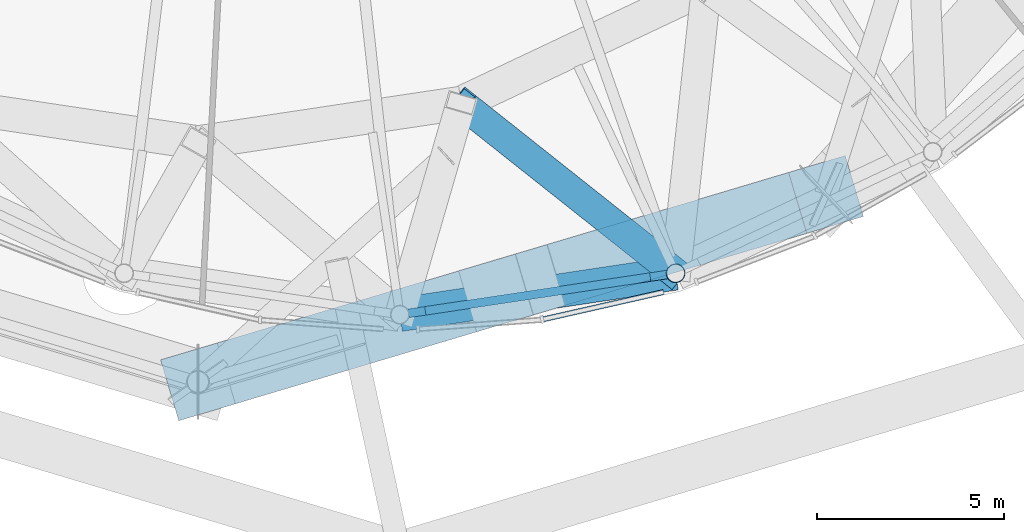
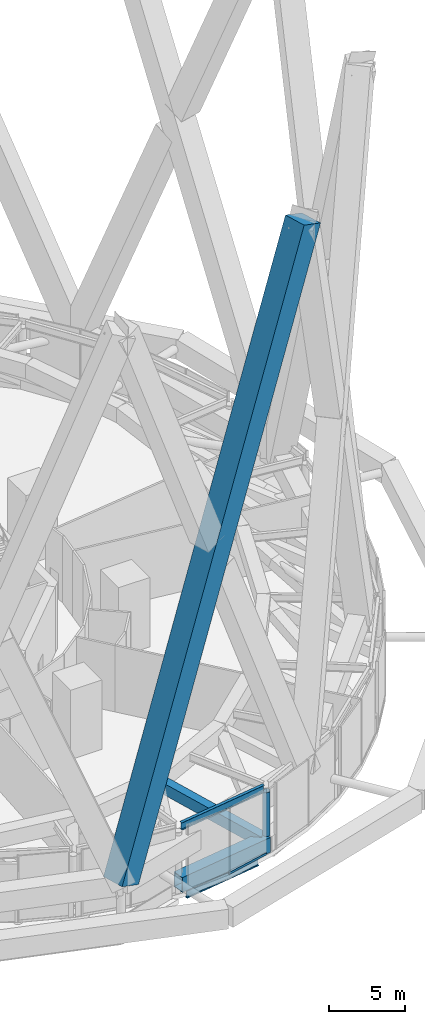
# One storey, part 10 of 51: 4 beams, 3 members, 1 element without a shape of its own.
"""IFC4 building model written with IfcOpenShell, lengths in metres."""

from ifc_helpers import new_model, si_unit, direction, frame, origin, origin_2d, place, context, subcontext, project, spatial, rectangle, hollow_rectangle, hollow_circle, i_section, extrude, material, layer, layer_set, material_profile, profile_set, type_object, element, aggregate, save


model = new_model("IFC4")

# Units and contexts
model_context = context("Model", 3, precision=1e-05, world=origin(), true_north=direction((0.0, 1.0)))
body_context = subcontext(model_context, "Body", "Model", "MODEL_VIEW")
ifc_project = project(units=[si_unit("LENGTHUNIT", "METRE"), si_unit("AREAUNIT", "SQUARE_METRE"), si_unit("VOLUMEUNIT", "CUBIC_METRE"), si_unit("PLANEANGLEUNIT", "RADIAN"), si_unit("MASSUNIT", "GRAM", prefix="KILO")], contexts=[model_context])

# Site, building, storey
site_placement = place(None, origin())
site = spatial("IfcSite", under=ifc_project, at=site_placement, CompositionType="ELEMENT")
building_placement = place(site_placement, origin())
building = spatial("IfcBuilding", under=site, at=building_placement, Name="Nagisa Residences", CompositionType="ELEMENT")
storey_placement = place(building_placement, frame((0.0, 0.0, 67.699951171875)))
storey = spatial("IfcBuildingStorey", under=building, at=storey_placement, Name="L16", CompositionType="ELEMENT", Elevation=67.699951171875)

# Beams
ifc_material_1 = material(Name="Steel ASTM A572 Gr 50", Category="steel")
ifc_material_profile_1 = material_profile(ifc_material_1, hollow_rectangle(XDim=0.89990234375, YDim=1.199951171875, WallThickness=0.050048828125, at=origin_2d()), Name="BX 900x1200x50")
ifc_profile_set_1 = profile_set([ifc_material_profile_1], Name="Steel ASTM A572 Gr 50")
beam_type_1 = type_object("IfcBeamType", Name="Belt chord 1 BX 900x1200x50", PredefinedType="BEAM", material=ifc_profile_set_1)
beam_1_placement = place(storey_placement, frame((3.60009765625, -32.5, 0.60009765625), z_axis=(0.988916897536, 0.148470097217, 0.0), x_axis=(-0.148470097217, 0.988916897536, 0.0)))
element("IfcBeam", 1, at=beam_1_placement, inside=storey, type_object=beam_type_1, Name="beam:L16:bt1b19", PredefinedType="BEAM", context=body_context, shape_type="SweptSolid", body=[
    extrude(hollow_rectangle(XDim=0.89990234375, YDim=1.199951171875, WallThickness=0.050048828125, at=origin_2d()), origin(), (0.0, 0.0, 1.0), 7.458984375),
])
ifc_material_2 = material(Name="Steel ASTM A572 Gr 50", Category="steel")
ifc_material_profile_2 = material_profile(ifc_material_2, hollow_rectangle(XDim=0.800048828125, YDim=0.800048828125, WallThickness=0.044921875, at=origin_2d()), Name="BX 800x800x45")
ifc_profile_set_2 = profile_set([ifc_material_profile_2], Name="Steel ASTM A572 Gr 50")
beam_type_2 = type_object("IfcBeamType", Name="Belt diagonal 1 BX 800x800x45", PredefinedType="BEAM", material=ifc_profile_set_2)
beam_2_placement = place(storey_placement, frame((10.976318359375, -31.392578125, 0.60009765625), z_axis=(-0.682000005103, 0.541055658886, 0.492071912455), x_axis=(-0.621506895657, -0.783408691968, 0.0)))
element("IfcBeam", 2, at=beam_2_placement, inside=storey, type_object=beam_type_2, Name="beam:L16:bt1da20", PredefinedType="BEAM", context=body_context, shape_type="SweptSolid", body=[
    extrude(hollow_rectangle(XDim=0.800048828125, YDim=0.800048828125, WallThickness=0.044921875, at=origin_2d()), origin(), (0.0, 0.0, 1.0), 8.4130859375),
])

# Curtain wall, member
ifc_material_3 = material(Name="Aluminium curtain wall system", Category="aluminium")
ifc_layer = layer(ifc_material_3, 0.159912109375)
ifc_layer_set = layer_set([ifc_layer], Name="CW2 CURTAIN WALL")
curtain_wall_type = type_object("IfcCurtainWallType", Name="CW2 CURTAIN WALL", PredefinedType="NOTDEFINED", material=ifc_layer_set)
curtain_wall_placement = place(storey_placement, origin())
curtain_wall = element("IfcCurtainWall", 3, at=curtain_wall_placement, inside=storey, type_object=curtain_wall_type, Name="cw:CW2:L16:37", PredefinedType="NOTDEFINED")
ifc_material_4 = material(Name="Aluminium", Category="aluminium")
ifc_material_profile_3 = material_profile(ifc_material_4, rectangle(XDim=0.139892578125, YDim=0.179931640625, at=origin_2d()), Name="CW2 TRANSOM 140x180")
ifc_profile_set_3 = profile_set([ifc_material_profile_3], Name="Aluminium")
member_type_1 = type_object("IfcMemberType", Name="CW2 TRANSOM 140x180", PredefinedType="USERDEFINED", material=ifc_profile_set_3)
member_1_placement = place(storey_placement, frame((7.36767578125, -32.6396484375, 0.090087890625), z_axis=(0.975332756984, 0.220739695465, 0.0), x_axis=(-0.220739695465, 0.975332756984, 0.0)))
member_1 = element("IfcMember", 4, at=member_1_placement, type_object=member_type_1, Name="CW2 transom", ObjectType="TRANSOM", PredefinedType="USERDEFINED", context=body_context, shape_type="SweptSolid", body=[
    extrude(rectangle(XDim=0.139892578125, YDim=0.179931640625, at=origin_2d()), origin(), (0.0, 0.0, 1.0), 3.364501953125),
])
aggregate(curtain_wall, [member_1])

# Member
ifc_material_5 = material(Name="Concrete C80", Category="concrete")
ifc_material_profile_4 = material_profile(ifc_material_5, rectangle(XDim=1.699951171875, YDim=1.699951171875, at=origin_2d()), Name="C80 1700x1700")
ifc_profile_set_4 = profile_set([ifc_material_profile_4], Name="Concrete C80")
member_type_2 = type_object("IfcMemberType", Name="Cage diagonal 2 C80 1700x1700", PredefinedType="BRACE", material=ifc_profile_set_4)
member_2_placement = place(storey_placement, frame((-1.800048828125, -34.29736328125, 3.699951171875), z_axis=(0.351207182581, 0.104806271133, 0.930413435218), x_axis=(-0.285956126185, 0.958242711372, 0.0)))
element("IfcMember", 5, at=member_2_placement, inside=storey, type_object=member_type_2, Name="mem:L16:cg2d019", PredefinedType="BRACE", context=body_context, shape_type="SweptSolid", body=[
    extrude(rectangle(XDim=1.699951171875, YDim=1.699951171875, at=origin_2d()), origin(), (0.0, 0.0, 1.0), 47.828125),
])

# Beam
ifc_material_6 = material(Name="Steel ASTM A572 Gr 50", Category="steel")
ifc_material_profile_5 = material_profile(ifc_material_6, i_section(OverallWidth=0.22802734375, OverallDepth=0.60302734375, WebThickness=0.010498046875, FlangeThickness=0.014892578125, at=origin_2d()), Name="W610x101")
ifc_profile_set_5 = profile_set([ifc_material_profile_5], Name="Steel ASTM A572 Gr 50")
beam_type_3 = type_object("IfcBeamType", Name="Garden edge beam W610x101", PredefinedType="BEAM", material=ifc_profile_set_5)
beam_3_placement = place(storey_placement, frame((3.831298828125, -32.46533203125, 5.03857421875), z_axis=(0.98891431308, 0.148487310517, 0.0), x_axis=(-0.148487310517, 0.98891431308, 0.0)))
element("IfcBeam", 6, at=beam_3_placement, inside=storey, type_object=beam_type_3, Name="beam:L16:bt1ge19", PredefinedType="BEAM", context=body_context, shape_type="SweptSolid", body=[
    extrude(i_section(OverallWidth=0.22802734375, OverallDepth=0.60302734375, WebThickness=0.010498046875, FlangeThickness=0.014892578125, at=origin_2d()), origin(), (0.0, 0.0, 1.0), 6.990966796875),
])

# Member
ifc_material_7 = material(Name="Steel ASTM A572 Gr 65", Category="steel")
ifc_material_profile_6 = material_profile(ifc_material_7, hollow_circle(Radius=0.25390625, WallThickness=0.02001953125, at=origin_2d()), Name="CHS 508x20")
ifc_profile_set_6 = profile_set([ifc_material_profile_6], Name="Steel ASTM A572 Gr 65")
member_type_3 = type_object("IfcMemberType", Name="Garden edge post CHS 508x20", PredefinedType="POST", material=ifc_profile_set_6)
member_3_placement = place(storey_placement, frame((10.976318359375, -31.392578125, 1.199951171875), z_axis=(0.0, 0.0, 1.0), x_axis=(1.0, 0.0, 0.0)))
element("IfcMember", 7, at=member_3_placement, inside=storey, type_object=member_type_3, Name="mem:L16:gp120", PredefinedType="POST", context=body_context, shape_type="SweptSolid", body=[
    extrude(hollow_circle(Radius=0.25390625, WallThickness=0.02001953125, at=origin_2d()), origin(), (0.0, 0.0, 1.0), 3.537109375),
])

# Beam
ifc_material_8 = material(Name="Steel ASTM A572 Gr 50", Category="steel")
ifc_material_profile_7 = material_profile(ifc_material_8, i_section(OverallWidth=0.22900390625, OverallDepth=0.612060546875, WebThickness=0.011962890625, FlangeThickness=0.01953125, at=origin_2d()), Name="W610x125")
ifc_profile_set_7 = profile_set([ifc_material_profile_7], Name="Steel ASTM A572 Gr 50")
beam_type_4 = type_object("IfcBeamType", Name="Perimeter ring beam W610x125", PredefinedType="BEAM", material=ifc_profile_set_7)
beam_4_placement = place(storey_placement, frame((4.2802734375, -32.39794921875, -0.656005859375), z_axis=(0.988914559467, 0.14848566959, 0.0), x_axis=(-0.14848566959, 0.988914559467, 0.0)))
element("IfcBeam", 8, at=beam_4_placement, inside=storey, type_object=beam_type_4, Name="beam:L16:pb19", PredefinedType="BEAM", context=body_context, shape_type="SweptSolid", body=[
    extrude(i_section(OverallWidth=0.22900390625, OverallDepth=0.612060546875, WebThickness=0.011962890625, FlangeThickness=0.01953125, at=origin_2d()), origin(), (0.0, 0.0, 1.0), 6.08349609375),
])

save(model, "model.ifc")
